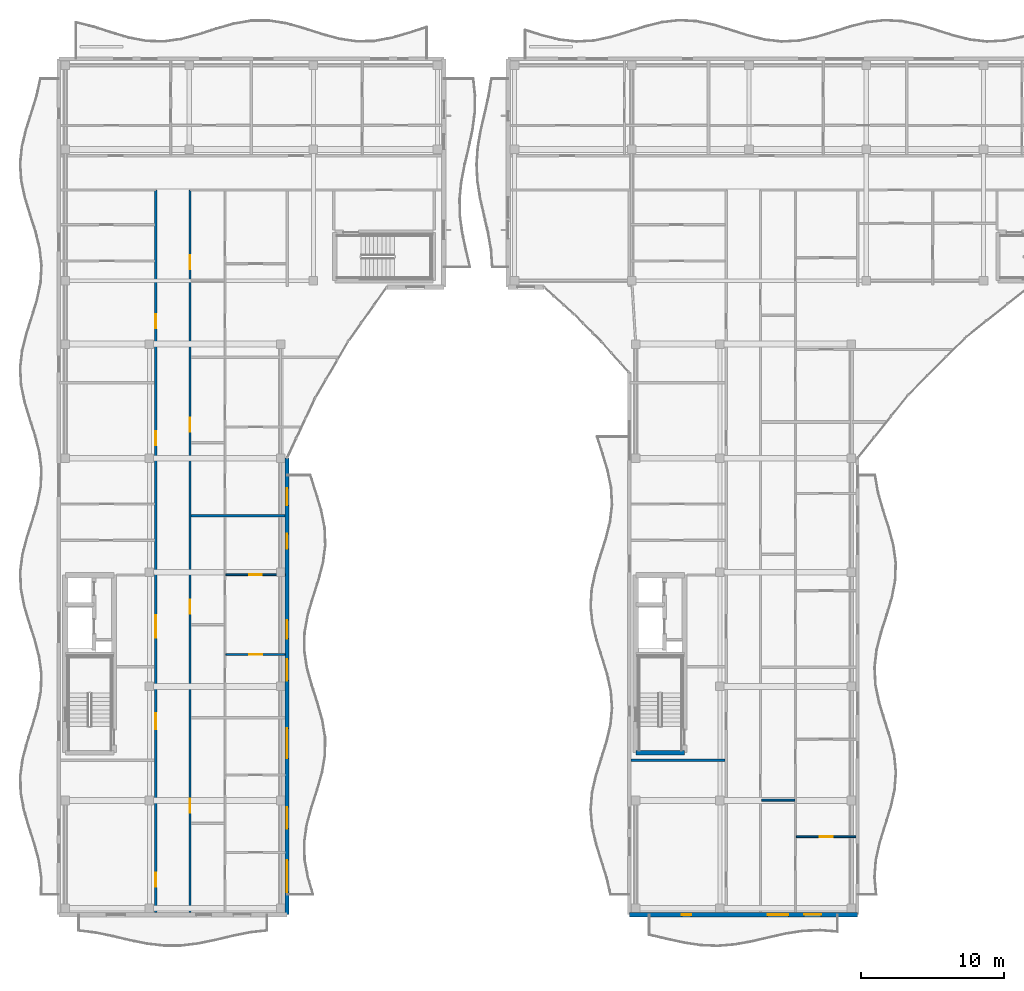
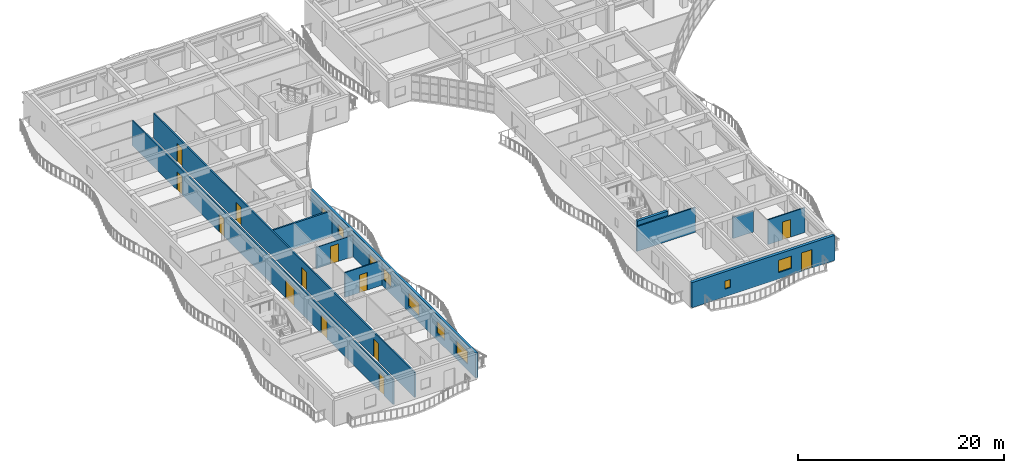
# One storey, part 31 of 76: 14 doors, 11 walls, 8 windows, 22 openings.
"""IFC4 building model written with IfcOpenShell, lengths in metres."""

from ifc_helpers import new_model, si_unit, direction, frame, frame_2d, origin, place, context, subcontext, project, spatial, rectangle, extrude, material, layer, layer_set, type_object, element, fill, save


model = new_model("IFC4")

# Units and contexts
model_context = context("Model", 3, precision=1e-05, world=origin(), true_north=direction((0.0, 1.0)))
body_context = subcontext(model_context, "Body", "Model", "MODEL_VIEW")
ifc_project = project(units=[si_unit("LENGTHUNIT", "METRE"), si_unit("AREAUNIT", "SQUARE_METRE"), si_unit("VOLUMEUNIT", "CUBIC_METRE"), si_unit("PLANEANGLEUNIT", "RADIAN"), si_unit("MASSUNIT", "GRAM", prefix="KILO")], contexts=[model_context])

# Site, building, storey
site_placement = place(None, origin())
site = spatial("IfcSite", under=ifc_project, at=site_placement, CompositionType="ELEMENT")
building_placement = place(site_placement, origin())
building = spatial("IfcBuilding", under=site, at=building_placement, Name="Keldmere Railside Commons", CompositionType="ELEMENT")
storey_placement = place(building_placement, frame((0.0, 0.0, 13.760009765625)))
storey = spatial("IfcBuildingStorey", under=building, at=storey_placement, Name="L04", CompositionType="ELEMENT", Elevation=13.760009765625)

# Wall
ifc_material_1 = material(Name="Acoustic Gypsum Board Partition", Category="gypsum")
ifc_layer_1 = layer(ifc_material_1, 0.179931640625, Name="Acoustic Demising Partition 180")
ifc_layer_set_1 = layer_set([ifc_layer_1], Name="Acoustic Gypsum Board Partition")
wall_type_1 = type_object("IfcWallType", Name="Acoustic Demising Partition 180", PredefinedType="PARTITIONING", material=ifc_layer_set_1)
wall_1_placement = place(storey_placement, frame((17.280029296875, 83.969970703125, 0.0), z_axis=(0.0, 0.0, 1.0), x_axis=(1.0, 0.0, 0.0)))
element("IfcWall", 1, at=wall_1_placement, inside=storey, type_object=wall_type_1, Name="IW-1 IW-L04-0336", PredefinedType="PARTITIONING", context=body_context, shape_type="SweptSolid", body=[
    extrude(rectangle(XDim=6.590087890625, YDim=0.179931640625, at=frame_2d((3.294921875, 0.0))), origin(), (0.0, 0.0, 1.0), 2.93505859375),
])

# Wall, opening, door
ifc_layer_2 = layer(ifc_material_1, 0.1201171875, Name="Apartment Interior Partition 120")
ifc_layer_set_2 = layer_set([ifc_layer_2], Name="Acoustic Gypsum Board Partition")
wall_type_2 = type_object("IfcWallType", Name="Apartment Interior Partition 120", PredefinedType="PARTITIONING", material=ifc_layer_set_2)
wall_2_placement = place(storey_placement, frame((19.719970703125, 74.22998046875, 0.0), z_axis=(0.0, 0.0, 1.0), x_axis=(1.0, 0.0, 0.0)))
wall_2 = element("IfcWall", 2, at=wall_2_placement, inside=storey, type_object=wall_type_2, Name="IW-4 IW-L04-0344", PredefinedType="PARTITIONING", context=body_context, shape_type="SweptSolid", body=[
    extrude(rectangle(XDim=4.150146484375, YDim=0.1201171875, at=frame_2d((2.0751953125, 0.0))), origin(), (0.0, 0.0, 1.0), 2.93505859375),
])
opening_1_placement = place(wall_2_placement, frame((1.625, 0.0, 0.0)))
opening_1 = element("IfcOpeningElement", 3, at=opening_1_placement, cuts=wall_2, Name="Opening ID-01", PredefinedType="OPENING", context=body_context, shape_type="SweptSolid", body=[
    extrude(rectangle(XDim=0.89990234375, YDim=2.10009765625, at=frame_2d((0.449951171875, 1.050048828125))), frame((0.0, 0.070068359375, 0.0), z_axis=(0.0, -1.0, 0.0), x_axis=(1.0, 0.0, 0.0)), (0.0, 0.0, 1.0), 0.14013671875),
])
ifc_material_2 = material(Name="Engineered Oak Timber", Category="wood")
door_type_1 = type_object("IfcDoorType", Name="Primary Bedroom Door 900x2100", OperationType="NOTDEFINED", PredefinedType="DOOR", material=ifc_material_2)
door_1_placement = place(opening_1_placement, origin())
door_1 = element("IfcDoor", 4, at=door_1_placement, inside=storey, type_object=door_type_1, Name="ID-01 IDR-L04-0246", OperationType="SINGLE_SWING_RIGHT", OverallHeight=2.10009765625, OverallWidth=0.89990234375, PredefinedType="DOOR", context=body_context, shape_type="SweptSolid", body=[
    extrude(rectangle(XDim=0.89990234375, YDim=2.10009765625, at=frame_2d((0.449951171875, 1.050048828125))), frame((0.0, 0.02490234375, 0.0), z_axis=(0.0, -1.0, 0.0), x_axis=(1.0, 0.0, 0.0)), (0.0, 0.0, 1.0), 0.050048828125),
])
fill(opening_1, door_1)

wall_3_placement = place(storey_placement, frame((19.719970703125, 79.830078125, 0.0), z_axis=(0.0, 0.0, 1.0), x_axis=(1.0, 0.0, 0.0)))
wall_3 = element("IfcWall", 5, at=wall_3_placement, inside=storey, type_object=wall_type_2, Name="IW-4 IW-L04-0345", PredefinedType="PARTITIONING", context=body_context, shape_type="SweptSolid", body=[
    extrude(rectangle(XDim=4.150146484375, YDim=0.1201171875, at=frame_2d((2.0751953125, 0.0))), origin(), (0.0, 0.0, 1.0), 2.530029296875),
])
opening_2_placement = place(wall_3_placement, frame((1.635009765625, 0.0, 0.0)))
opening_2 = element("IfcOpeningElement", 6, at=opening_2_placement, cuts=wall_3, Name="Opening ID-02", PredefinedType="OPENING", context=body_context, shape_type="SweptSolid", body=[
    extrude(rectangle(XDim=0.8798828125, YDim=2.10009765625, at=frame_2d((0.43994140625, 1.050048828125))), frame((0.0, 0.070068359375, 0.0), z_axis=(0.0, -1.0, 0.0), x_axis=(1.0, 0.0, 0.0)), (0.0, 0.0, 1.0), 0.14013671875),
])
door_type_2 = type_object("IfcDoorType", Name="Secondary Bedroom Door 880x2100", OperationType="NOTDEFINED", PredefinedType="DOOR", material=ifc_material_2)
door_2_placement = place(opening_2_placement, origin())
door_2 = element("IfcDoor", 7, at=door_2_placement, inside=storey, type_object=door_type_2, Name="ID-02 IDR-L04-0247", OperationType="SINGLE_SWING_LEFT", OverallHeight=2.10009765625, OverallWidth=0.8798828125, PredefinedType="DOOR", context=body_context, shape_type="SweptSolid", body=[
    extrude(rectangle(XDim=0.8798828125, YDim=2.10009765625, at=frame_2d((0.43994140625, 1.050048828125))), frame((0.0, 0.02490234375, 0.0), z_axis=(0.0, -1.0, 0.0), x_axis=(1.0, 0.0, 0.0)), (0.0, 0.0, 1.0), 0.050048828125),
])
fill(opening_2, door_2)

wall_4_placement = place(storey_placement, frame((59.719970703125, 61.4599609375, 0.0), z_axis=(0.0, 0.0, 1.0), x_axis=(1.0, 0.0, 0.0)))
wall_4 = element("IfcWall", 8, at=wall_4_placement, inside=storey, type_object=wall_type_2, Name="IW-4 IW-L04-0652", PredefinedType="PARTITIONING", context=body_context, shape_type="SweptSolid", body=[
    extrude(rectangle(XDim=4.159912109375, YDim=0.1201171875, at=frame_2d((2.080078125, 0.0))), origin(), (0.0, 0.0, 1.0), 2.93505859375),
])
opening_3_placement = place(wall_4_placement, frame((1.6298828125, 0.0, 0.0)))
opening_3 = element("IfcOpeningElement", 9, at=opening_3_placement, cuts=wall_4, Name="Opening ID-01", PredefinedType="OPENING", context=body_context, shape_type="SweptSolid", body=[
    extrude(rectangle(XDim=0.89990234375, YDim=2.10009765625, at=frame_2d((0.449951171875, 1.050048828125))), frame((0.0, 0.070068359375, 0.0), z_axis=(0.0, -1.0, 0.0), x_axis=(1.0, 0.0, 0.0)), (0.0, 0.0, 1.0), 0.14013671875),
])
door_3_placement = place(opening_3_placement, origin())
door_3 = element("IfcDoor", 10, at=door_3_placement, inside=storey, type_object=door_type_1, Name="ID-01 IDR-L04-0537", OperationType="SINGLE_SWING_LEFT", OverallHeight=2.10009765625, OverallWidth=0.89990234375, PredefinedType="DOOR", context=body_context, shape_type="SweptSolid", body=[
    extrude(rectangle(XDim=0.89990234375, YDim=2.10009765625, at=frame_2d((0.449951171875, 1.050048828125))), frame((0.0, 0.02490234375, 0.0), z_axis=(0.0, -1.0, 0.0), x_axis=(1.0, 0.0, 0.0)), (0.0, 0.0, 1.0), 0.050048828125),
])
fill(opening_3, door_3)

# Wall, openings, doors
ifc_layer_3 = layer(ifc_material_1, 0.159912109375, Name="Corridor Fire Partition 160")
ifc_layer_set_3 = layer_set([ifc_layer_3], Name="Acoustic Gypsum Board Partition")
wall_type_3 = type_object("IfcWallType", Name="Corridor Fire Partition 160", PredefinedType="PARTITIONING", material=ifc_layer_set_3)
wall_5_placement = place(storey_placement, frame((14.800048828125, 56.159912109375, 0.0), z_axis=(0.0, 0.0, 1.0), x_axis=(0.0, 1.0, 0.0)))
wall_5 = element("IfcWall", 11, at=wall_5_placement, inside=storey, type_object=wall_type_3, Name="IW-2 IW-L04-0327", PredefinedType="PARTITIONING", context=body_context, shape_type="SweptSolid", body=[
    extrude(rectangle(XDim=50.64013671875, YDim=0.159912109375, at=frame_2d((25.320068359375, 0.0))), origin(), (0.0, 0.0, 1.0), 2.93505859375),
])
opening_4_placement = place(wall_5_placement, frame((12.840087890625, 0.0, 0.0)))
opening_4 = element("IfcOpeningElement", 12, at=opening_4_placement, cuts=wall_5, Name="Opening FD-2", PredefinedType="OPENING", context=body_context, shape_type="SweptSolid", body=[
    extrude(rectangle(XDim=1.10009765625, YDim=2.14990234375, at=frame_2d((0.550048828125, 1.074951171875))), frame((0.0, 0.08984375, 0.0), z_axis=(0.0, -1.0, 0.0), x_axis=(1.0, 0.0, 0.0)), (0.0, 0.0, 1.0), 0.179931640625),
])
opening_5_placement = place(wall_5_placement, frame((19.239990234375, 0.0, 0.0)))
opening_5 = element("IfcOpeningElement", 13, at=opening_5_placement, cuts=wall_5, Name="Opening FD-4", PredefinedType="OPENING", context=body_context, shape_type="SweptSolid", body=[
    extrude(rectangle(XDim=1.60009765625, YDim=2.14990234375, at=frame_2d((0.800048828125, 1.074951171875))), frame((0.0, 0.08984375, 0.0), z_axis=(0.0, -1.0, 0.0), x_axis=(1.0, 0.0, 0.0)), (0.0, 0.0, 1.0), 0.179931640625),
])
opening_6_placement = place(wall_5_placement, frame((1.800048828125, 0.0, 0.0)))
opening_6 = element("IfcOpeningElement", 14, at=opening_6_placement, cuts=wall_5, Name="Opening ID-08", PredefinedType="OPENING", context=body_context, shape_type="SweptSolid", body=[
    extrude(rectangle(XDim=0.9599609375, YDim=2.14990234375, at=frame_2d((0.47998046875, 1.074951171875))), frame((0.0, 0.08984375, 0.0), z_axis=(0.0, -1.0, 0.0), x_axis=(1.0, 0.0, 0.0)), (0.0, 0.0, 1.0), 0.179931640625),
])
opening_7_placement = place(wall_5_placement, frame((32.7451171875, 0.0, 0.0)))
opening_7 = element("IfcOpeningElement", 15, at=opening_7_placement, cuts=wall_5, Name="Opening FD-7", PredefinedType="OPENING", context=body_context, shape_type="SweptSolid", body=[
    extrude(rectangle(XDim=0.97998046875, YDim=2.14990234375, at=frame_2d((0.489990234375, 1.074951171875))), frame((0.0, 0.08984375, 0.0), z_axis=(0.0, -1.0, 0.0), x_axis=(1.0, 0.0, 0.0)), (0.0, 0.0, 1.0), 0.179931640625),
])
opening_8_placement = place(wall_5_placement, frame((40.955078125, 0.0, 0.0)))
opening_8 = element("IfcOpeningElement", 16, at=opening_8_placement, cuts=wall_5, Name="Opening FD-7", PredefinedType="OPENING", context=body_context, shape_type="SweptSolid", body=[
    extrude(rectangle(XDim=0.97998046875, YDim=2.14990234375, at=frame_2d((0.489990234375, 1.074951171875))), frame((0.0, 0.08984375, 0.0), z_axis=(0.0, -1.0, 0.0), x_axis=(1.0, 0.0, 0.0)), (0.0, 0.0, 1.0), 0.179931640625),
])
door_type_3 = type_object("IfcDoorType", Name="Apartment Entrance Acoustic Fire Door 980x2150", OperationType="NOTDEFINED", PredefinedType="DOOR", material=ifc_material_2)
door_4_placement = place(opening_7_placement, origin())
door_4 = element("IfcDoor", 17, at=door_4_placement, inside=storey, type_object=door_type_3, Name="FD-7 IDR-L04-0269", OperationType="SINGLE_SWING_LEFT", OverallHeight=2.14990234375, OverallWidth=0.97998046875, PredefinedType="DOOR", context=body_context, shape_type="SweptSolid", body=[
    extrude(rectangle(XDim=0.97998046875, YDim=2.14990234375, at=frame_2d((0.489990234375, 1.074951171875))), frame((0.0, 0.02490234375, 0.0), z_axis=(0.0, -1.0, 0.0), x_axis=(1.0, 0.0, 0.0)), (0.0, 0.0, 1.0), 0.050048828125),
])
fill(opening_7, door_4)
door_5_placement = place(opening_8_placement, origin())
door_5 = element("IfcDoor", 18, at=door_5_placement, inside=storey, type_object=door_type_3, Name="FD-7 IDR-L04-0272", OperationType="SINGLE_SWING_RIGHT", OverallHeight=2.14990234375, OverallWidth=0.97998046875, PredefinedType="DOOR", context=body_context, shape_type="SweptSolid", body=[
    extrude(rectangle(XDim=0.97998046875, YDim=2.14990234375, at=frame_2d((0.489990234375, 1.074951171875))), frame((0.0, 0.02490234375, 0.0), z_axis=(0.0, -1.0, 0.0), x_axis=(1.0, 0.0, 0.0)), (0.0, 0.0, 1.0), 0.050048828125),
])
fill(opening_8, door_5)
ifc_material_3 = material(Name="Steel F-24 (S235)", Category="steel")
door_type_4 = type_object("IfcDoorType", Name="Corridor Cross-Compartment Double Fire Door 1600x2150", OperationType="DOUBLE_DOOR_SINGLE_SWING", PredefinedType="DOOR", material=ifc_material_3)
door_6_placement = place(opening_5_placement, origin())
door_6 = element("IfcDoor", 19, at=door_6_placement, inside=storey, type_object=door_type_4, Name="FD-4 IDR-L04-0237", OperationType="DOUBLE_DOOR_SINGLE_SWING", OverallHeight=2.14990234375, OverallWidth=1.60009765625, PredefinedType="DOOR", context=body_context, shape_type="SweptSolid", body=[
    extrude(rectangle(XDim=1.60009765625, YDim=2.14990234375, at=frame_2d((0.800048828125, 1.074951171875))), frame((0.0, 0.02490234375, 0.0), z_axis=(0.0, -1.0, 0.0), x_axis=(1.0, 0.0, 0.0)), (0.0, 0.0, 1.0), 0.050048828125),
])
fill(opening_5, door_6)
door_type_5 = type_object("IfcDoorType", Name="Firefighting Lobby Fire Door 1100x2150", OperationType="NOTDEFINED", PredefinedType="DOOR", material=ifc_material_3)
door_7_placement = place(opening_4_placement, origin())
door_7 = element("IfcDoor", 20, at=door_7_placement, inside=storey, type_object=door_type_5, Name="FD-2 IDR-L04-0236", OperationType="SINGLE_SWING_RIGHT", OverallHeight=2.14990234375, OverallWidth=1.10009765625, PredefinedType="DOOR", context=body_context, shape_type="SweptSolid", body=[
    extrude(rectangle(XDim=1.10009765625, YDim=2.14990234375, at=frame_2d((0.550048828125, 1.074951171875))), frame((0.0, 0.02490234375, 0.0), z_axis=(0.0, -1.0, 0.0), x_axis=(1.0, 0.0, 0.0)), (0.0, 0.0, 1.0), 0.050048828125),
])
fill(opening_4, door_7)
door_type_6 = type_object("IfcDoorType", Name="Study & Meeting Room Door 960x2150", OperationType="NOTDEFINED", PredefinedType="DOOR", material=ifc_material_2)
door_8_placement = place(opening_6_placement, origin())
door_8 = element("IfcDoor", 21, at=door_8_placement, inside=storey, type_object=door_type_6, Name="ID-08 IDR-L04-0266", OperationType="SINGLE_SWING_RIGHT", OverallHeight=2.14990234375, OverallWidth=0.9599609375, PredefinedType="DOOR", context=body_context, shape_type="SweptSolid", body=[
    extrude(rectangle(XDim=0.9599609375, YDim=2.14990234375, at=frame_2d((0.47998046875, 1.074951171875))), frame((0.0, 0.02490234375, 0.0), z_axis=(0.0, -1.0, 0.0), x_axis=(1.0, 0.0, 0.0)), (0.0, 0.0, 1.0), 0.050048828125),
])
fill(opening_6, door_8)

wall_6_placement = place(storey_placement, frame((17.199951171875, 56.159912109375, 0.0), z_axis=(0.0, 0.0, 1.0), x_axis=(0.0, 1.0, 0.0)))
wall_6 = element("IfcWall", 22, at=wall_6_placement, inside=storey, type_object=wall_type_3, Name="IW-2 IW-L04-0328", PredefinedType="PARTITIONING", context=body_context, shape_type="SweptSolid", body=[
    extrude(rectangle(XDim=50.64013671875, YDim=0.159912109375, at=frame_2d((25.320068359375, 0.0))), origin(), (0.0, 0.0, 1.0), 2.93505859375),
])
opening_9_placement = place(wall_6_placement, frame((6.989990234375, 0.0, 0.0)))
opening_9 = element("IfcOpeningElement", 23, at=opening_9_placement, cuts=wall_6, Name="Opening FD-7", PredefinedType="OPENING", context=body_context, shape_type="SweptSolid", body=[
    extrude(rectangle(XDim=0.97998046875, YDim=2.14990234375, at=frame_2d((0.489990234375, 1.074951171875))), frame((0.0, 0.08984375, 0.0), z_axis=(0.0, -1.0, 0.0), x_axis=(1.0, 0.0, 0.0)), (0.0, 0.0, 1.0), 0.179931640625),
])
opening_10_placement = place(wall_6_placement, frame((20.919921875, 0.0, 0.0)))
opening_10 = element("IfcOpeningElement", 24, at=opening_10_placement, cuts=wall_6, Name="Opening FD-7", PredefinedType="OPENING", context=body_context, shape_type="SweptSolid", body=[
    extrude(rectangle(XDim=0.97998046875, YDim=2.14990234375, at=frame_2d((0.489990234375, 1.074951171875))), frame((0.0, 0.08984375, 0.0), z_axis=(0.0, -1.0, 0.0), x_axis=(1.0, 0.0, 0.0)), (0.0, 0.0, 1.0), 0.179931640625),
])
opening_11_placement = place(wall_6_placement, frame((33.679931640625, 0.0, 0.0)))
opening_11 = element("IfcOpeningElement", 25, at=opening_11_placement, cuts=wall_6, Name="Opening FD-7", PredefinedType="OPENING", context=body_context, shape_type="SweptSolid", body=[
    extrude(rectangle(XDim=0.97998046875, YDim=2.14990234375, at=frame_2d((0.489990234375, 1.074951171875))), frame((0.0, 0.08984375, 0.0), z_axis=(0.0, -1.0, 0.0), x_axis=(1.0, 0.0, 0.0)), (0.0, 0.0, 1.0), 0.179931640625),
])
opening_12_placement = place(wall_6_placement, frame((45.080078125, 0.0, 0.0)))
opening_12 = element("IfcOpeningElement", 26, at=opening_12_placement, cuts=wall_6, Name="Opening FD-7", PredefinedType="OPENING", context=body_context, shape_type="SweptSolid", body=[
    extrude(rectangle(XDim=0.97998046875, YDim=2.14990234375, at=frame_2d((0.489990234375, 1.074951171875))), frame((0.0, 0.08984375, 0.0), z_axis=(0.0, -1.0, 0.0), x_axis=(1.0, 0.0, 0.0)), (0.0, 0.0, 1.0), 0.179931640625),
])
door_9_placement = place(opening_9_placement, origin())
door_9 = element("IfcDoor", 27, at=door_9_placement, inside=storey, type_object=door_type_3, Name="FD-7 IDR-L04-0240", OperationType="SINGLE_SWING_RIGHT", OverallHeight=2.14990234375, OverallWidth=0.97998046875, PredefinedType="DOOR", context=body_context, shape_type="SweptSolid", body=[
    extrude(rectangle(XDim=0.97998046875, YDim=2.14990234375, at=frame_2d((0.489990234375, 1.074951171875))), frame((0.0, 0.02490234375, 0.0), z_axis=(0.0, -1.0, 0.0), x_axis=(1.0, 0.0, 0.0)), (0.0, 0.0, 1.0), 0.050048828125),
])
fill(opening_9, door_9)
door_10_placement = place(opening_10_placement, origin())
door_10 = element("IfcDoor", 28, at=door_10_placement, inside=storey, type_object=door_type_3, Name="FD-7 IDR-L04-0245", OperationType="SINGLE_SWING_LEFT", OverallHeight=2.14990234375, OverallWidth=0.97998046875, PredefinedType="DOOR", context=body_context, shape_type="SweptSolid", body=[
    extrude(rectangle(XDim=0.97998046875, YDim=2.14990234375, at=frame_2d((0.489990234375, 1.074951171875))), frame((0.0, 0.02490234375, 0.0), z_axis=(0.0, -1.0, 0.0), x_axis=(1.0, 0.0, 0.0)), (0.0, 0.0, 1.0), 0.050048828125),
])
fill(opening_10, door_10)
door_11_placement = place(opening_11_placement, origin())
door_11 = element("IfcDoor", 29, at=door_11_placement, inside=storey, type_object=door_type_3, Name="FD-7 IDR-L04-0250", OperationType="SINGLE_SWING_RIGHT", OverallHeight=2.14990234375, OverallWidth=0.97998046875, PredefinedType="DOOR", context=body_context, shape_type="SweptSolid", body=[
    extrude(rectangle(XDim=0.97998046875, YDim=2.14990234375, at=frame_2d((0.489990234375, 1.074951171875))), frame((0.0, 0.02490234375, 0.0), z_axis=(0.0, -1.0, 0.0), x_axis=(1.0, 0.0, 0.0)), (0.0, 0.0, 1.0), 0.050048828125),
])
fill(opening_11, door_11)
door_12_placement = place(opening_12_placement, origin())
door_12 = element("IfcDoor", 30, at=door_12_placement, inside=storey, type_object=door_type_3, Name="FD-7 IDR-L04-0254", OperationType="SINGLE_SWING_RIGHT", OverallHeight=2.14990234375, OverallWidth=0.97998046875, PredefinedType="DOOR", context=body_context, shape_type="SweptSolid", body=[
    extrude(rectangle(XDim=0.97998046875, YDim=2.14990234375, at=frame_2d((0.489990234375, 1.074951171875))), frame((0.0, 0.02490234375, 0.0), z_axis=(0.0, -1.0, 0.0), x_axis=(1.0, 0.0, 0.0)), (0.0, 0.0, 1.0), 0.050048828125),
])
fill(opening_12, door_12)

# Wall, openings, door, windows
ifc_material_4 = material(Name="Concrete H-35 (C35/45)", Category="concrete")
ifc_layer_4 = layer(ifc_material_4, 0.320068359375, Name="Exterior Shear Wall 320")
ifc_layer_set_4 = layer_set([ifc_layer_4], Name="Concrete H-35 (C35/45)")
wall_type_4 = type_object("IfcWallType", Name="Exterior Shear Wall 320", PredefinedType="SHEAR", material=ifc_layer_set_4)
wall_7_placement = place(storey_placement, frame((64.0, 56.0, 0.0), z_axis=(0.0, 0.0, 1.0), x_axis=(-1.0, 0.0, 0.0)))
wall_7 = element("IfcWall", 31, at=wall_7_placement, inside=storey, type_object=wall_type_4, Name="ESW-2 EXTC-L04-0353", PredefinedType="SHEAR", context=body_context, shape_type="SweptSolid", body=[
    extrude(rectangle(XDim=16.0, YDim=0.320068359375, at=frame_2d((8.0, 0.0))), origin(), (0.0, 0.0, 1.0), 2.97998046875),
])
opening_13_placement = place(wall_7_placement, frame((2.550048828125, 0.0, 0.0)))
opening_13 = element("IfcOpeningElement", 32, at=opening_13_placement, cuts=wall_7, Name="Opening BD-01", PredefinedType="OPENING", context=body_context, shape_type="SweptSolid", body=[
    extrude(rectangle(XDim=1.199951171875, YDim=2.199951171875, at=frame_2d((0.60009765625, 1.10009765625))), frame((0.0, 0.169921875, 0.0), z_axis=(0.0, -1.0, 0.0), x_axis=(1.0, 0.0, 0.0)), (0.0, 0.0, 1.0), 0.340087890625),
])
opening_14_placement = place(wall_7_placement, frame((4.85009765625, 0.0, 0.77001953125)))
opening_14 = element("IfcOpeningElement", 33, at=opening_14_placement, cuts=wall_7, Name="Opening WN-24", PredefinedType="OPENING", context=body_context, shape_type="SweptSolid", body=[
    extrude(rectangle(XDim=1.449951171875, YDim=1.449951171875, at=frame_2d((0.72509765625, 0.72509765625))), frame((0.0, 0.169921875, 0.0), z_axis=(0.0, -1.0, 0.0), x_axis=(1.0, 0.0, 0.0)), (0.0, 0.0, 1.0), 0.340087890625),
])
opening_15_placement = place(wall_7_placement, frame((11.675048828125, 0.0, 0.89990234375)))
opening_15 = element("IfcOpeningElement", 34, at=opening_15_placement, cuts=wall_7, Name="Opening WN-15", PredefinedType="OPENING", context=body_context, shape_type="SweptSolid", body=[
    extrude(rectangle(XDim=0.64990234375, YDim=0.949951171875, at=frame_2d((0.324951171875, 0.47509765625))), frame((0.0, 0.169921875, 0.0), z_axis=(0.0, -1.0, 0.0), x_axis=(1.0, 0.0, 0.0)), (0.0, 0.0, 1.0), 0.340087890625),
])
ifc_material_5 = material(Name="Thermally Broken Aluminium", Category="aluminium")
door_type_7 = type_object("IfcDoorType", Name="Apartment Living Wave-Balcony Glazed Door 1200x2200", OperationType="NOTDEFINED", PredefinedType="DOOR", material=ifc_material_5)
door_13_placement = place(opening_13_placement, origin())
door_13 = element("IfcDoor", 35, at=door_13_placement, inside=storey, type_object=door_type_7, Name="BD-01 DR-L04-0077", OperationType="SINGLE_SWING_LEFT", OverallHeight=2.199951171875, OverallWidth=1.199951171875, PredefinedType="DOOR", context=body_context, shape_type="SweptSolid", body=[
    extrude(rectangle(XDim=1.199951171875, YDim=2.199951171875, at=frame_2d((0.60009765625, 1.10009765625))), frame((0.0, 0.02490234375, 0.0), z_axis=(0.0, -1.0, 0.0), x_axis=(1.0, 0.0, 0.0)), (0.0, 0.0, 1.0), 0.050048828125),
])
fill(opening_13, door_13)
ifc_material_6 = material(Name="Low-E Insulated Double Glazing", Category="glass")
window_type_1 = type_object("IfcWindowType", Name="Exterior Bathroom Frosted Window 650x950", PartitioningType="SINGLE_PANEL", PredefinedType="WINDOW", material=ifc_material_6)
window_1_placement = place(opening_15_placement, origin())
window_1 = element("IfcWindow", 36, at=window_1_placement, inside=storey, type_object=window_type_1, Name="WN-15 WIN-L04-0229", OverallHeight=0.949951171875, OverallWidth=0.64990234375, PartitioningType="SINGLE_PANEL", PredefinedType="WINDOW", context=body_context, shape_type="SweptSolid", body=[
    extrude(rectangle(XDim=0.64990234375, YDim=0.949951171875, at=frame_2d((0.324951171875, 0.47509765625))), frame((0.0, 0.030029296875, 0.0), z_axis=(0.0, -1.0, 0.0), x_axis=(1.0, 0.0, 0.0)), (0.0, 0.0, 1.0), 0.06005859375),
])
fill(opening_15, window_1)
window_type_2 = type_object("IfcWindowType", Name="Setback Terrace Bedroom Window 1450x1450", PartitioningType="SINGLE_PANEL", PredefinedType="WINDOW", material=ifc_material_6)
window_2_placement = place(opening_14_placement, origin())
window_2 = element("IfcWindow", 37, at=window_2_placement, inside=storey, type_object=window_type_2, Name="WN-24 WIN-L04-0228", OverallHeight=1.449951171875, OverallWidth=1.449951171875, PartitioningType="SINGLE_PANEL", PredefinedType="WINDOW", context=body_context, shape_type="SweptSolid", body=[
    extrude(rectangle(XDim=1.449951171875, YDim=1.449951171875, at=frame_2d((0.72509765625, 0.72509765625))), frame((0.0, 0.030029296875, 0.0), z_axis=(0.0, -1.0, 0.0), x_axis=(1.0, 0.0, 0.0)), (0.0, 0.0, 1.0), 0.06005859375),
])
fill(opening_14, window_2)

# Walls
ifc_layer_5 = layer(ifc_material_4, 0.300048828125, Name="Interior Shear Wall 300")
ifc_layer_set_5 = layer_set([ifc_layer_5], Name="Concrete H-35 (C35/45)")
wall_type_5 = type_object("IfcWallType", Name="Interior Shear Wall 300", PredefinedType="SHEAR", material=ifc_layer_set_5)
wall_8_placement = place(storey_placement, frame((51.8701171875, 67.35009765625, 0.0), z_axis=(0.0, 0.0, 1.0), x_axis=(-1.0, 0.0, 0.0)))
element("IfcWall", 38, at=wall_8_placement, inside=storey, type_object=wall_type_5, Name="ISW-2 CORECS-L04-0249", PredefinedType="SHEAR", context=body_context, shape_type="SweptSolid", body=[
    extrude(rectangle(XDim=3.41015625, YDim=0.300048828125, at=frame_2d((1.705078125, 0.0))), origin(), (0.0, 0.0, 1.0), 3.199951171875),
])
ifc_layer_6 = layer(ifc_material_1, 0.14990234375, Name="Lobby Rated Partition 150")
ifc_layer_set_6 = layer_set([ifc_layer_6], Name="Acoustic Gypsum Board Partition")
wall_type_6 = type_object("IfcWallType", Name="Lobby Rated Partition 150", PredefinedType="PARTITIONING", material=ifc_layer_set_6)
wall_9_placement = place(storey_placement, frame((48.1201171875, 66.820068359375, 0.0), z_axis=(0.0, 0.0, 1.0), x_axis=(1.0, 0.0, 0.0)))
element("IfcWall", 39, at=wall_9_placement, inside=storey, type_object=wall_type_6, Name="IW-3 IW-L04-0636", PredefinedType="PARTITIONING", context=body_context, shape_type="SweptSolid", body=[
    extrude(rectangle(XDim=6.599853515625, YDim=0.14990234375, at=frame_2d((3.2998046875, 0.0))), origin(), (0.0, 0.0, 1.0), 2.93505859375),
])

# Wall, openings, windows, door
ifc_material_7 = material(Name="Terracotta Brick Masonry", Category="masonry")
ifc_layer_7 = layer(ifc_material_7, 0.260009765625, Name="Terracotta Cavity Wall 260")
ifc_layer_set_7 = layer_set([ifc_layer_7], Name="Terracotta Brick Masonry")
wall_type_7 = type_object("IfcWallType", Name="Terracotta Cavity Wall 260", PredefinedType="SOLIDWALL", material=ifc_layer_set_7)
wall_10_placement = place(storey_placement, frame((24.0, 88.0, 0.0), z_axis=(0.0, 0.0, 1.0), x_axis=(0.0, -1.0, 0.0)))
wall_10 = element("IfcWall", 40, at=wall_10_placement, inside=storey, type_object=wall_type_7, Name="EW-1 EXTD-L04-0151", PredefinedType="SOLIDWALL", context=body_context, shape_type="SweptSolid", body=[
    extrude(rectangle(XDim=32.0, YDim=0.260009765625, at=frame_2d((16.0, 0.0))), origin(), (0.0, 0.0, 1.0), 2.97998046875),
])
opening_16_placement = place(wall_10_placement, frame((2.10009765625, 0.0, 0.0)))
opening_16 = element("IfcOpeningElement", 41, at=opening_16_placement, cuts=wall_10, Name="Opening BD-01", PredefinedType="OPENING", context=body_context, shape_type="SweptSolid", body=[
    extrude(rectangle(XDim=1.199951171875, YDim=2.199951171875, at=frame_2d((0.60009765625, 1.10009765625))), frame((0.0, 0.139892578125, 0.0), z_axis=(0.0, -1.0, 0.0), x_axis=(1.0, 0.0, 0.0)), (0.0, 0.0, 1.0), 0.280029296875),
])
opening_17_placement = place(wall_10_placement, frame((5.300048828125, 0.0, 0.89990234375)))
opening_17 = element("IfcOpeningElement", 42, at=opening_17_placement, cuts=wall_10, Name="Opening WN-13", PredefinedType="OPENING", context=body_context, shape_type="SweptSolid", body=[
    extrude(rectangle(XDim=1.050048828125, YDim=1.14990234375, at=frame_2d((0.52490234375, 0.574951171875))), frame((0.0, 0.139892578125, 0.0), z_axis=(0.0, -1.0, 0.0), x_axis=(1.0, 0.0, 0.0)), (0.0, 0.0, 1.0), 0.280029296875),
])
opening_18_placement = place(wall_10_placement, frame((11.35009765625, 0.0, 0.820068359375)))
opening_18 = element("IfcOpeningElement", 43, at=opening_18_placement, cuts=wall_10, Name="Opening WN-10", PredefinedType="OPENING", context=body_context, shape_type="SweptSolid", body=[
    extrude(rectangle(XDim=1.300048828125, YDim=1.39990234375, at=frame_2d((0.64990234375, 0.699951171875))), frame((0.0, 0.139892578125, 0.0), z_axis=(0.0, -1.0, 0.0), x_axis=(1.0, 0.0, 0.0)), (0.0, 0.0, 1.0), 0.280029296875),
])
opening_19_placement = place(wall_10_placement, frame((18.949951171875, 0.0, 0.669921875)))
opening_19 = element("IfcOpeningElement", 44, at=opening_19_placement, cuts=wall_10, Name="Opening WN-11", PredefinedType="OPENING", context=body_context, shape_type="SweptSolid", body=[
    extrude(rectangle(XDim=2.10009765625, YDim=1.550048828125, at=frame_2d((1.050048828125, 0.77490234375))), frame((0.0, 0.139892578125, 0.0), z_axis=(0.0, -1.0, 0.0), x_axis=(1.0, 0.0, 0.0)), (0.0, 0.0, 1.0), 0.280029296875),
])
opening_20_placement = place(wall_10_placement, frame((28.175048828125, 0.0, 0.719970703125)))
opening_20 = element("IfcOpeningElement", 45, at=opening_20_placement, cuts=wall_10, Name="Opening WN-12", PredefinedType="OPENING", context=body_context, shape_type="SweptSolid", body=[
    extrude(rectangle(XDim=2.25, YDim=1.5, at=frame_2d((1.125, 0.75))), frame((0.0, 0.139892578125, 0.0), z_axis=(0.0, -1.0, 0.0), x_axis=(1.0, 0.0, 0.0)), (0.0, 0.0, 1.0), 0.280029296875),
])
opening_21_placement = place(wall_10_placement, frame((24.4658203125, 0.0, 0.820068359375)))
opening_21 = element("IfcOpeningElement", 46, at=opening_21_placement, cuts=wall_10, Name="Opening WN-06", PredefinedType="OPENING", context=body_context, shape_type="SweptSolid", body=[
    extrude(rectangle(XDim=1.5, YDim=1.39990234375, at=frame_2d((0.75, 0.699951171875))), frame((0.0, 0.139892578125, 0.0), z_axis=(0.0, -1.0, 0.0), x_axis=(1.0, 0.0, 0.0)), (0.0, 0.0, 1.0), 0.280029296875),
])
opening_22_placement = place(wall_10_placement, frame((14.091796875, 0.0, 0.820068359375)))
opening_22 = element("IfcOpeningElement", 47, at=opening_22_placement, cuts=wall_10, Name="Opening WN-06", PredefinedType="OPENING", context=body_context, shape_type="SweptSolid", body=[
    extrude(rectangle(XDim=1.5, YDim=1.39990234375, at=frame_2d((0.75, 0.699951171875))), frame((0.0, 0.139892578125, 0.0), z_axis=(0.0, -1.0, 0.0), x_axis=(1.0, 0.0, 0.0)), (0.0, 0.0, 1.0), 0.280029296875),
])
window_type_3 = type_object("IfcWindowType", Name="Apartment Kitchen Casement Window 1050x1150", PartitioningType="SINGLE_PANEL", PredefinedType="WINDOW", material=ifc_material_6)
window_3_placement = place(opening_17_placement, origin())
window_3 = element("IfcWindow", 48, at=window_3_placement, inside=storey, type_object=window_type_3, Name="WN-13 WIN-L04-0083", OverallHeight=1.14990234375, OverallWidth=1.050048828125, PartitioningType="SINGLE_PANEL", PredefinedType="WINDOW", context=body_context, shape_type="SweptSolid", body=[
    extrude(rectangle(XDim=1.050048828125, YDim=1.14990234375, at=frame_2d((0.52490234375, 0.574951171875))), frame((0.0, 0.030029296875, 0.0), z_axis=(0.0, -1.0, 0.0), x_axis=(1.0, 0.0, 0.0)), (0.0, 0.0, 1.0), 0.06005859375),
])
fill(opening_17, window_3)
door_14_placement = place(opening_16_placement, origin())
door_14 = element("IfcDoor", 49, at=door_14_placement, inside=storey, type_object=door_type_7, Name="BD-01 DR-L04-0026", OperationType="SINGLE_SWING_RIGHT", OverallHeight=2.199951171875, OverallWidth=1.199951171875, PredefinedType="DOOR", context=body_context, shape_type="SweptSolid", body=[
    extrude(rectangle(XDim=1.199951171875, YDim=2.199951171875, at=frame_2d((0.60009765625, 1.10009765625))), frame((0.0, 0.02490234375, 0.0), z_axis=(0.0, -1.0, 0.0), x_axis=(1.0, 0.0, 0.0)), (0.0, 0.0, 1.0), 0.050048828125),
])
fill(opening_16, door_14)
window_type_4 = type_object("IfcWindowType", Name="Primary Bedroom North Window 1500x1400", PartitioningType="SINGLE_PANEL", PredefinedType="WINDOW", material=ifc_material_6)
window_4_placement = place(opening_21_placement, origin())
window_4 = element("IfcWindow", 50, at=window_4_placement, inside=storey, type_object=window_type_4, Name="WN-06 WIN-L04-9028", OverallHeight=1.39990234375, OverallWidth=1.5, PartitioningType="SINGLE_PANEL", PredefinedType="WINDOW", context=body_context, shape_type="SweptSolid", body=[
    extrude(rectangle(XDim=1.5, YDim=1.39990234375, at=frame_2d((0.75, 0.699951171875))), frame((0.0, 0.030029296875, 0.0), z_axis=(0.0, -1.0, 0.0), x_axis=(1.0, 0.0, 0.0)), (0.0, 0.0, 1.0), 0.06005859375),
])
fill(opening_21, window_4)
window_5_placement = place(opening_22_placement, origin())
window_5 = element("IfcWindow", 51, at=window_5_placement, inside=storey, type_object=window_type_4, Name="WN-06 WIN-L04-9029", OverallHeight=1.39990234375, OverallWidth=1.5, PartitioningType="SINGLE_PANEL", PredefinedType="WINDOW", context=body_context, shape_type="SweptSolid", body=[
    extrude(rectangle(XDim=1.5, YDim=1.39990234375, at=frame_2d((0.75, 0.699951171875))), frame((0.0, 0.030029296875, 0.0), z_axis=(0.0, -1.0, 0.0), x_axis=(1.0, 0.0, 0.0)), (0.0, 0.0, 1.0), 0.06005859375),
])
fill(opening_22, window_5)
window_type_5 = type_object("IfcWindowType", Name="Secondary Bedroom Court Window 1300x1400", PartitioningType="SINGLE_PANEL", PredefinedType="WINDOW", material=ifc_material_6)
window_6_placement = place(opening_18_placement, origin())
window_6 = element("IfcWindow", 52, at=window_6_placement, inside=storey, type_object=window_type_5, Name="WN-10 WIN-L04-0084", OverallHeight=1.39990234375, OverallWidth=1.300048828125, PartitioningType="SINGLE_PANEL", PredefinedType="WINDOW", context=body_context, shape_type="SweptSolid", body=[
    extrude(rectangle(XDim=1.300048828125, YDim=1.39990234375, at=frame_2d((0.64990234375, 0.699951171875))), frame((0.0, 0.030029296875, 0.0), z_axis=(0.0, -1.0, 0.0), x_axis=(1.0, 0.0, 0.0)), (0.0, 0.0, 1.0), 0.06005859375),
])
fill(opening_18, window_6)
window_type_6 = type_object("IfcWindowType", Name="Studio Court Ribbon Window 2250x1500", PartitioningType="SINGLE_PANEL", PredefinedType="WINDOW", material=ifc_material_6)
window_7_placement = place(opening_20_placement, origin())
window_7 = element("IfcWindow", 53, at=window_7_placement, inside=storey, type_object=window_type_6, Name="WN-12 WIN-L04-0086", OverallHeight=1.5, OverallWidth=2.25, PartitioningType="SINGLE_PANEL", PredefinedType="WINDOW", context=body_context, shape_type="SweptSolid", body=[
    extrude(rectangle(XDim=2.25, YDim=1.5, at=frame_2d((1.125, 0.75))), frame((0.0, 0.030029296875, 0.0), z_axis=(0.0, -1.0, 0.0), x_axis=(1.0, 0.0, 0.0)), (0.0, 0.0, 1.0), 0.06005859375),
])
fill(opening_20, window_7)
window_type_7 = type_object("IfcWindowType", Name="Studio Wide Casement Window 2100x1550", PartitioningType="SINGLE_PANEL", PredefinedType="WINDOW", material=ifc_material_6)
window_8_placement = place(opening_19_placement, origin())
window_8 = element("IfcWindow", 54, at=window_8_placement, inside=storey, type_object=window_type_7, Name="WN-11 WIN-L04-0085", OverallHeight=1.550048828125, OverallWidth=2.10009765625, PartitioningType="SINGLE_PANEL", PredefinedType="WINDOW", context=body_context, shape_type="SweptSolid", body=[
    extrude(rectangle(XDim=2.10009765625, YDim=1.550048828125, at=frame_2d((1.050048828125, 0.77490234375))), frame((0.0, 0.030029296875, 0.0), z_axis=(0.0, -1.0, 0.0), x_axis=(1.0, 0.0, 0.0)), (0.0, 0.0, 1.0), 0.06005859375),
])
fill(opening_19, window_8)

# Wall
ifc_layer_8 = layer(ifc_material_1, 0.139892578125, Name="Wet-Room Sanitary Partition 140")
ifc_layer_set_8 = layer_set([ifc_layer_8], Name="Acoustic Gypsum Board Partition")
wall_type_8 = type_object("IfcWallType", Name="Wet-Room Sanitary Partition 140", PredefinedType="PARTITIONING", material=ifc_layer_set_8)
wall_11_placement = place(storey_placement, frame((57.280029296875, 64.030029296875, 0.0), z_axis=(0.0, 0.0, 1.0), x_axis=(1.0, 0.0, 0.0)))
element("IfcWall", 55, at=wall_11_placement, inside=storey, type_object=wall_type_8, Name="IW-5 IW-L04-0651", PredefinedType="PARTITIONING", context=body_context, shape_type="SweptSolid", body=[
    extrude(rectangle(XDim=2.320068359375, YDim=0.139892578125, at=frame_2d((1.16015625, 0.0))), origin(), (0.0, 0.0, 1.0), 2.530029296875),
])

save(model, "model.ifc")
